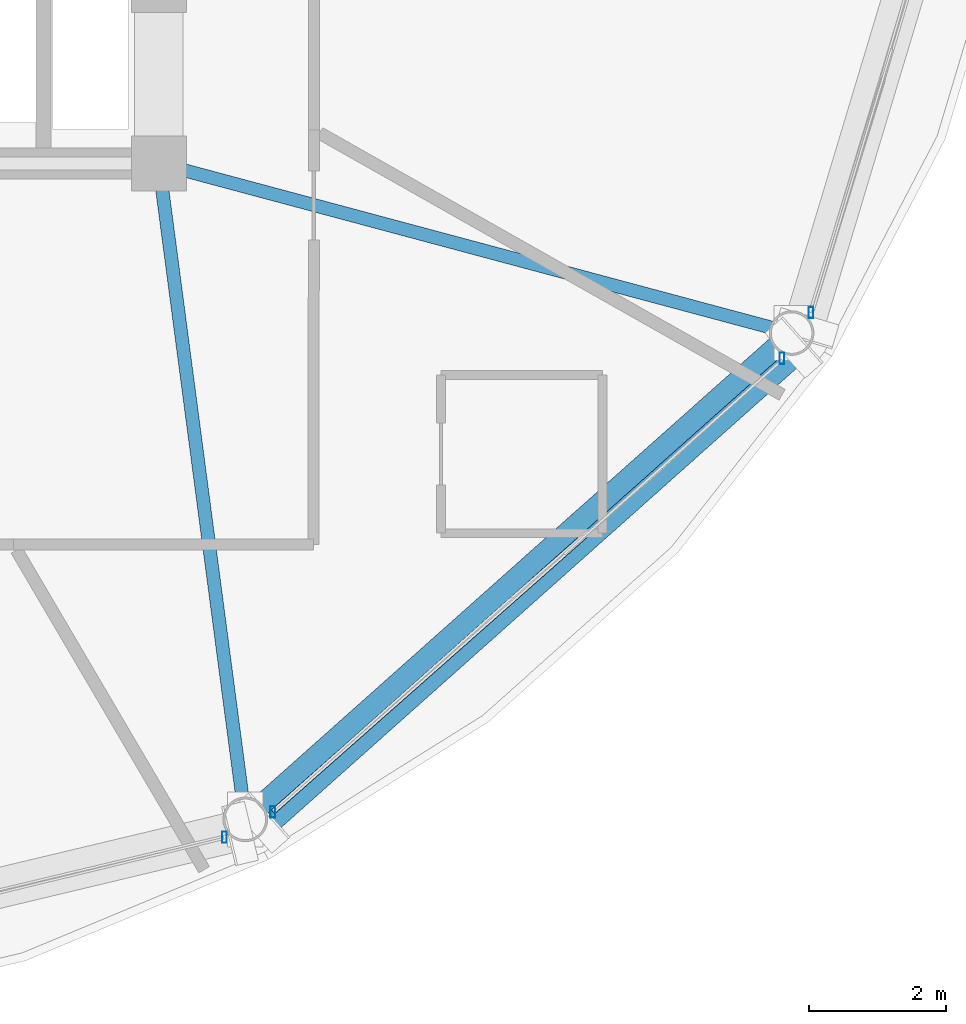
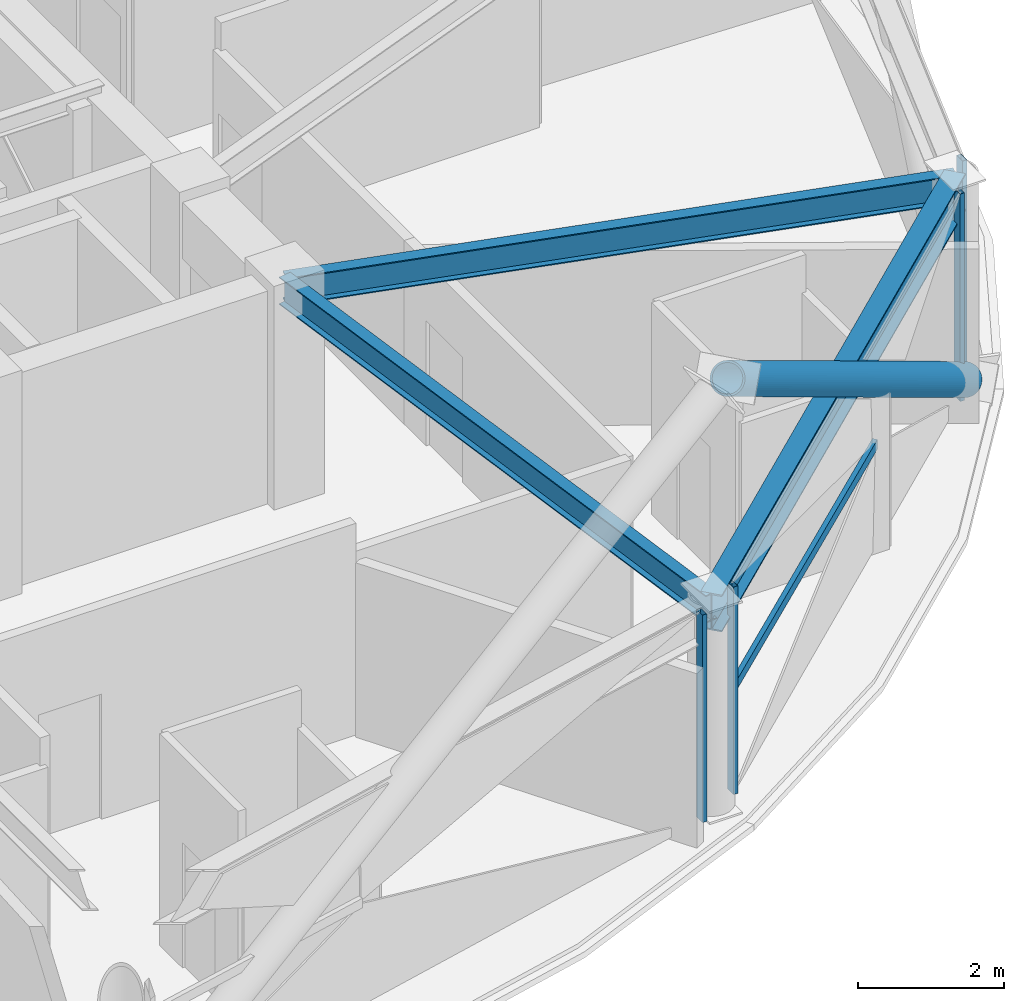
# One storey, part 11 of 29: 6 members, 3 beams, 3 elements without a shape of their own.
"""IFC4 building model written with IfcOpenShell, lengths in metres."""

from ifc_helpers import new_model, si_unit, direction, frame, origin, origin_2d, place, context, subcontext, project, spatial, hollow_rectangle, hollow_circle, i_section, extrude, material, layer, layer_set, material_profile, profile_set, type_object, element, aggregate, save


model = new_model("IFC4")

# Units and contexts
model_context = context("Model", 3, precision=1e-05, world=origin(), true_north=direction((0.0, 1.0)))
body_context = subcontext(model_context, "Body", "Model", "MODEL_VIEW")
ifc_project = project(units=[si_unit("LENGTHUNIT", "METRE"), si_unit("AREAUNIT", "SQUARE_METRE"), si_unit("VOLUMEUNIT", "CUBIC_METRE"), si_unit("PLANEANGLEUNIT", "RADIAN"), si_unit("MASSUNIT", "GRAM", prefix="KILO")], contexts=[model_context])

# Site, building, storey
site_placement = place(None, origin())
site = spatial("IfcSite", under=ifc_project, at=site_placement, CompositionType="ELEMENT")
building_placement = place(site_placement, origin())
building = spatial("IfcBuilding", under=site, at=building_placement, Name="Vantalir Tower", CompositionType="ELEMENT")
storey_placement = place(building_placement, frame((0.0, 0.0, 234.89990234375)))
storey = spatial("IfcBuildingStorey", under=building, at=storey_placement, Name="L59", CompositionType="ELEMENT", Elevation=234.89990234375)

# Beams
ifc_material_1 = material(Name="Steel S355", Category="steel")
ifc_material_profile_1 = material_profile(ifc_material_1, i_section(OverallWidth=0.19189453125, OverallDepth=0.462890625, WebThickness=0.010498046875, FlangeThickness=0.017578125, at=origin_2d()), Name="Steel S355")
ifc_profile_set_1 = profile_set([ifc_material_profile_1], Name="Steel S355")
beam_type_1 = type_object("IfcBeamType", Name="BM-RB-457x191", PredefinedType="BEAM", material=ifc_profile_set_1)
beam_1_placement = place(storey_placement, frame((42.35888671875, 8.257080078125, 3.338134765625), z_axis=(-0.130774684438, 0.991412115071, 0.0), x_axis=(-0.991412115071, -0.130774684438, 0.0)))
element("IfcBeam", 1, at=beam_1_placement, inside=storey, type_object=beam_type_1, Name="L59 Radial Floor Beam 11", PredefinedType="BEAM", context=body_context, shape_type="SweptSolid", body=[
    extrude(i_section(OverallWidth=0.19189453125, OverallDepth=0.462890625, WebThickness=0.010498046875, FlangeThickness=0.017578125, at=origin_2d()), origin(), (0.0, 0.0, 1.0), 9.625732421875),
])
beam_2_placement = place(storey_placement, frame((50.30810546875, 15.3330078125, 3.338134765625), z_axis=(-0.965932047749, 0.25879582518, 0.0), x_axis=(-0.25879582518, -0.965932047749, 0.0)))
element("IfcBeam", 2, at=beam_2_placement, inside=storey, type_object=beam_type_1, Name="L59 Radial Floor Beam 12", PredefinedType="BEAM", context=body_context, shape_type="SweptSolid", body=[
    extrude(i_section(OverallWidth=0.19189453125, OverallDepth=0.462890625, WebThickness=0.010498046875, FlangeThickness=0.017578125, at=origin_2d()), origin(), (0.0, 0.0, 1.0), 9.53271484375),
])
ifc_material_2 = material(Name="Steel S460", Category="steel")
ifc_material_profile_2 = material_profile(ifc_material_2, i_section(OverallWidth=0.306884765625, OverallDepth=0.6201171875, WebThickness=0.01416015625, FlangeThickness=0.023681640625, at=origin_2d()), Name="Steel S460")
ifc_profile_set_2 = profile_set([ifc_material_profile_2], Name="Steel S460")
beam_type_2 = type_object("IfcBeamType", Name="BM-RG-610x305", PredefinedType="USERDEFINED", material=ifc_profile_set_2)
beam_3_placement = place(storey_placement, frame((42.35888671875, 8.257080078125, 3.260009765625), z_axis=(0.746944629215, 0.664886246577, 0.0), x_axis=(-0.664886246577, 0.746944629215, 0.0)))
element("IfcBeam", 3, at=beam_3_placement, inside=storey, type_object=beam_type_2, Name="L59 Circumferential Ring Girder 11", ObjectType="GIRDER", PredefinedType="USERDEFINED", context=body_context, shape_type="SweptSolid", body=[
    extrude(i_section(OverallWidth=0.306884765625, OverallDepth=0.6201171875, WebThickness=0.01416015625, FlangeThickness=0.023681640625, at=origin_2d()), origin(), (0.0, 0.0, 1.0), 10.642333984375),
])

# Curtain wall, member
ifc_material_3 = material(Name="Champagne-silver PVDF aluminium and double-silver Low-E glass", Category="aluminium")
ifc_layer = layer(ifc_material_3, 0.2099609375)
ifc_layer_set = layer_set([ifc_layer], Name="Champagne-silver PVDF aluminium and double-silver Low-E glass")
curtain_wall_type = type_object("IfcCurtainWallType", Name="CW-DIAMOND-Z3", PredefinedType="USERDEFINED", material=ifc_layer_set)
curtain_wall_1_placement = place(storey_placement, origin())
curtain_wall_1 = element("IfcCurtainWall", 4, at=curtain_wall_1_placement, inside=storey, type_object=curtain_wall_type, Name="L59 Quilted Pyramid-Diamond Curtain Wall S10", ObjectType="UNITISED CURTAIN WALL", PredefinedType="USERDEFINED")
ifc_material_4 = material(Name="Champagne-silver PVDF aluminium 6063-T6", Category="aluminium")
ifc_material_profile_3 = material_profile(ifc_material_4, hollow_rectangle(XDim=0.070068359375, YDim=0.1650390625, WallThickness=0.00390625, at=origin_2d()), Name="Champagne-silver PVDF aluminium 6063-T6")
ifc_profile_set_3 = profile_set([ifc_material_profile_3], Name="Champagne-silver PVDF aluminium 6063-T6")
member_type_1 = type_object("IfcMemberType", Name="CWM-165x70", PredefinedType="MULLION", material=ifc_profile_set_3)
member_1_placement = place(storey_placement, frame((42.054931640625, 7.998046875, 0.045166015625), z_axis=(0.0, 0.0, 1.0), x_axis=(1.0, 0.0, 0.0)))
member_1 = element("IfcMember", 5, at=member_1_placement, type_object=member_type_1, Name="CW-L59-S10 Mullion 2", PredefinedType="MULLION", context=body_context, shape_type="SweptSolid", body=[
    extrude(hollow_rectangle(XDim=0.070068359375, YDim=0.1650390625, WallThickness=0.00390625, at=origin_2d()), origin(), (0.0, 0.0, 1.0), 3.47998046875),
])
aggregate(curtain_wall_1, [member_1])

# Curtain wall, members
curtain_wall_2_placement = place(storey_placement, origin())
curtain_wall_2 = element("IfcCurtainWall", 6, at=curtain_wall_2_placement, inside=storey, type_object=curtain_wall_type, Name="L59 Quilted Pyramid-Diamond Curtain Wall S11", ObjectType="UNITISED CURTAIN WALL", PredefinedType="USERDEFINED")
member_2_placement = place(storey_placement, frame((42.760009765625, 8.365966796875, 0.045166015625), z_axis=(0.0, 0.0, 1.0), x_axis=(1.0, 0.0, 0.0)))
member_2 = element("IfcMember", 7, at=member_2_placement, type_object=member_type_1, Name="CW-L59-S11 Mullion 1", PredefinedType="MULLION", context=body_context, shape_type="SweptSolid", body=[
    extrude(hollow_rectangle(XDim=0.070068359375, YDim=0.1650390625, WallThickness=0.00390625, at=origin_2d()), origin(), (0.0, 0.0, 1.0), 3.47998046875),
])
member_3_placement = place(storey_placement, frame((50.1669921875, 14.965087890625, 0.045166015625), z_axis=(0.0, 0.0, 1.0), x_axis=(1.0, 0.0, 0.0)))
member_3 = element("IfcMember", 8, at=member_3_placement, type_object=member_type_1, Name="CW-L59-S11 Mullion 2", PredefinedType="MULLION", context=body_context, shape_type="SweptSolid", body=[
    extrude(hollow_rectangle(XDim=0.070068359375, YDim=0.1650390625, WallThickness=0.00390625, at=origin_2d()), origin(), (0.0, 0.0, 1.0), 3.47998046875),
])

# Curtain wall, member
curtain_wall_3_placement = place(storey_placement, origin())
curtain_wall_3 = element("IfcCurtainWall", 9, at=curtain_wall_3_placement, inside=storey, type_object=curtain_wall_type, Name="L59 Quilted Pyramid-Diamond Curtain Wall S12", ObjectType="UNITISED CURTAIN WALL", PredefinedType="USERDEFINED")
member_4_placement = place(storey_placement, frame((50.591064453125, 15.631103515625, 0.045166015625), z_axis=(0.0, 0.0, 1.0), x_axis=(1.0, 0.0, 0.0)))
member_4 = element("IfcMember", 10, at=member_4_placement, type_object=member_type_1, Name="CW-L59-S12 Mullion 1", PredefinedType="MULLION", context=body_context, shape_type="SweptSolid", body=[
    extrude(hollow_rectangle(XDim=0.070068359375, YDim=0.1650390625, WallThickness=0.00390625, at=origin_2d()), origin(), (0.0, 0.0, 1.0), 3.47998046875),
])
aggregate(curtain_wall_3, [member_4])

# Member
ifc_material_profile_4 = material_profile(ifc_material_4, hollow_rectangle(XDim=0.074951171875, YDim=0.159912109375, WallThickness=0.00390625, at=origin_2d()), Name="Champagne-silver PVDF aluminium 6063-T6")
ifc_profile_set_4 = profile_set([ifc_material_profile_4], Name="Champagne-silver PVDF aluminium 6063-T6")
member_type_2 = type_object("IfcMemberType", Name="CWT-160x75", PredefinedType="USERDEFINED", material=ifc_profile_set_4)
member_5_placement = place(storey_placement, frame((42.760009765625, 8.365966796875, 1.78515625), z_axis=(0.749148717244, 0.662401841371, 0.0), x_axis=(-0.662401841371, 0.749148717244, 0.0)))
member_5 = element("IfcMember", 11, at=member_5_placement, type_object=member_type_2, Name="CW-L59-S11 Pyramid Fold Ridge Transom", ObjectType="TRANSOM", PredefinedType="USERDEFINED", context=body_context, shape_type="SweptSolid", body=[
    extrude(hollow_rectangle(XDim=0.074951171875, YDim=0.159912109375, WallThickness=0.00390625, at=origin_2d()), origin(), (0.0, 0.0, 1.0), 6.155029296875),
])

aggregate(curtain_wall_2, [member_2, member_3, member_5])

ifc_material_profile_5 = material_profile(ifc_material_2, hollow_circle(Radius=0.25, WallThickness=0.031982421875, at=origin_2d()), Name="Steel S460")
ifc_profile_set_5 = profile_set([ifc_material_profile_5], Name="Steel S460")
member_type_3 = type_object("IfcMemberType", Name="MEM-DB-500x32", PredefinedType="BRACE", material=ifc_profile_set_5)
member_6_placement = place(storey_placement, frame((50.3359375, 15.115966796875, 0.2021484375), z_axis=(-0.621209164896, -0.553513168835, 0.554727271166), x_axis=(0.665254469402, -0.746616696131, 0.0)))
element("IfcMember", 12, at=member_6_placement, inside=storey, type_object=member_type_3, Name="L59 Perimeter S460 Diagrid Brace R34R", PredefinedType="BRACE", context=body_context, shape_type="SweptSolid", body=[
    extrude(hollow_circle(Radius=0.25, WallThickness=0.031982421875, at=origin_2d()), origin(), (0.0, 0.0, 1.0), 12.467529296875),
])

save(model, "model.ifc")
